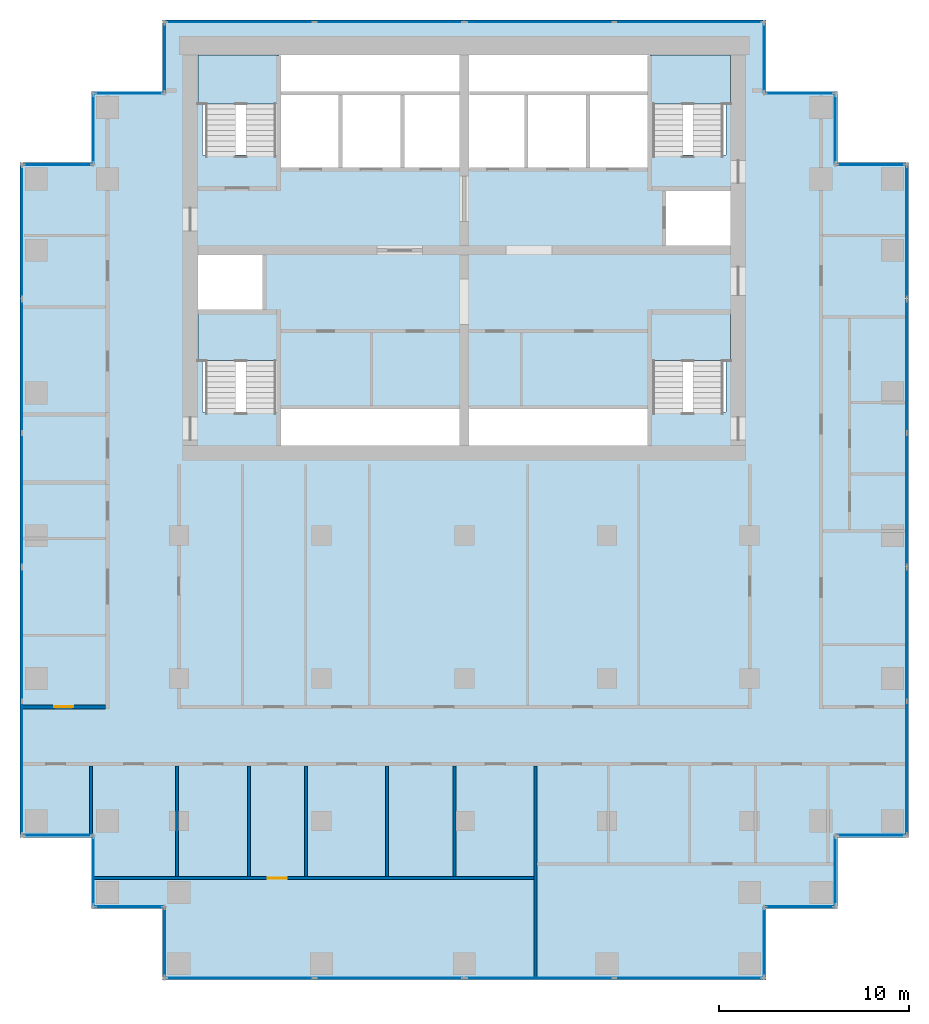
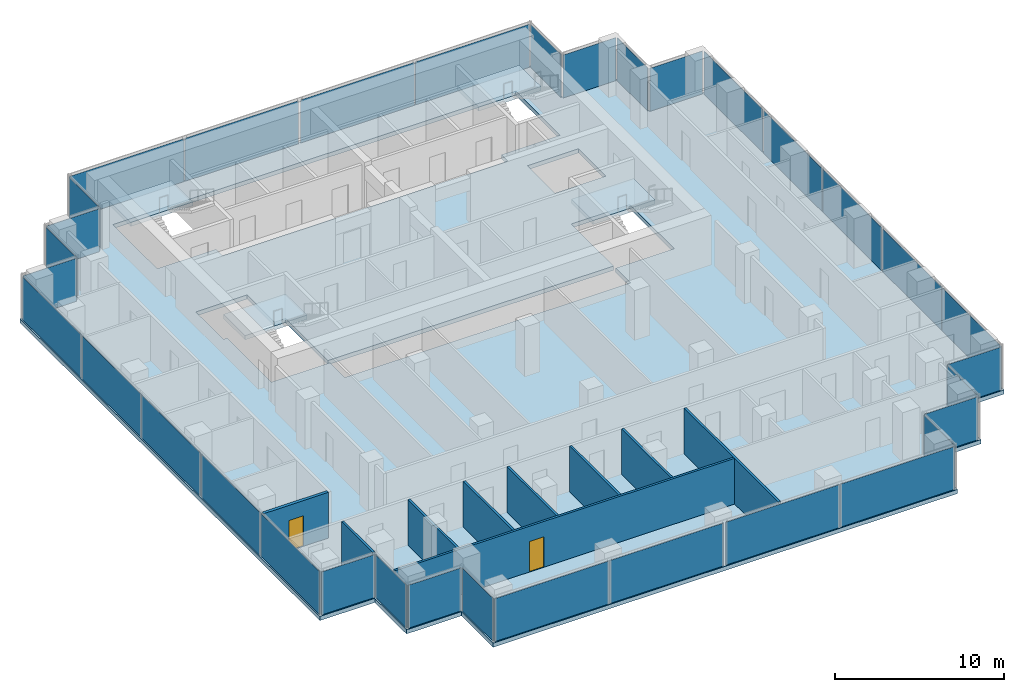
# One storey, part 6 of 11: 34 plates, 9 walls, 5 slabs, 2 doors, 2 openings, 30 elements without a shape of their own.
"""IFC4 building model written with IfcOpenShell, lengths in metres."""

from ifc_helpers import new_model, si_unit, direction, frame, frame_2d, origin, origin_2d, place, context, subcontext, project, spatial, polyline, rectangle, outline, extrude, material, layer, layer_set, type_object, element, fill, aggregate, save


model = new_model("IFC4")

# Units and contexts
model_context = context("Model", 3, precision=1e-05, world=origin(), true_north=direction((0.0, 1.0)))
body_context = subcontext(model_context, "Body", "Model", "MODEL_VIEW")
ifc_project = project(units=[si_unit("LENGTHUNIT", "METRE"), si_unit("AREAUNIT", "SQUARE_METRE"), si_unit("VOLUMEUNIT", "CUBIC_METRE"), si_unit("PLANEANGLEUNIT", "RADIAN"), si_unit("MASSUNIT", "GRAM", prefix="KILO")], contexts=[model_context])

# Site, building, storey
site_placement = place(None, origin())
site = spatial("IfcSite", under=ifc_project, at=site_placement, CompositionType="ELEMENT")
building_placement = place(site_placement, origin())
building = spatial("IfcBuilding", under=site, at=building_placement, Name="Pilkhan Gate Tower", CompositionType="ELEMENT")
storey_placement = place(building_placement, frame((0.0, 0.0, 172.89990234375)))
storey = spatial("IfcBuildingStorey", under=building, at=storey_placement, Name="L44", CompositionType="ELEMENT", Elevation=172.89990234375)

# Slab
ifc_material_1 = material(Name="Concrete C40/50", Category="concrete")
ifc_layer_1 = layer(ifc_material_1, 0.300048828125)
ifc_layer_set_1 = layer_set([ifc_layer_1], Name="Flat plate slab FP300")
slab_type_1 = type_object("IfcSlabType", Name="Flat plate slab FP300", PredefinedType="FLOOR", material=ifc_layer_set_1)
slab_1_placement = place(storey_placement, frame((0.0, 0.0, -0.2998046875)))
element("IfcSlab", 1, at=slab_1_placement, inside=storey, type_object=slab_type_1, Name="Floor slab L44", PredefinedType="FLOOR", context=body_context, shape_type="SweptSolid", body=[
    extrude(outline(polyline([(94.60009765625, 47.89990234375), (90.85009765625, 47.89990234375), (90.85009765625, 44.14990234375), (59.14990234375, 44.14990234375), (59.14990234375, 47.89990234375), (55.39990234375, 47.89990234375), (55.39990234375, 51.64990234375), (51.64990234375, 51.64990234375), (51.64990234375, 87.10009765625), (55.39990234375, 87.10009765625), (55.39990234375, 90.85009765625), (59.14990234375, 90.85009765625), (59.14990234375, 94.60009765625), (90.85009765625, 94.60009765625), (90.85009765625, 90.85009765625), (94.60009765625, 90.85009765625), (94.60009765625, 87.10009765625), (98.35009765625, 87.10009765625), (98.35009765625, 51.64990234375), (94.60009765625, 51.64990234375), (94.60009765625, 47.89990234375)]), holes=[polyline([(75.0, 72.25), (84.75, 72.25), (84.75, 74.0), (88.75, 74.0), (88.75, 79.25), (84.75, 79.25), (84.75, 74.25), (75.0, 74.25), (65.25, 74.25), (65.25, 79.25), (64.5, 79.25), (64.5, 82.5), (61.25, 82.5), (61.0, 82.5), (61.0, 79.25), (61.25, 79.25), (61.25, 74.0), (65.25, 74.0), (65.25, 72.25), (75.0, 72.25)]), polyline([(68.5, 86.75), (71.75, 86.75), (75.0, 86.75), (78.25, 86.75), (81.5, 86.75), (84.75, 86.75), (84.75, 87.5), (88.75, 87.5), (88.75, 92.75), (84.75, 92.75), (75.0, 92.75), (65.25, 92.75), (61.25, 92.75), (61.25, 87.5), (65.25, 87.5), (65.25, 86.75), (68.5, 86.75)]), polyline([(85.5, 85.75), (85.5, 82.5), (88.75, 82.5), (89.0, 82.5), (89.0, 85.75), (88.75, 85.75), (85.5, 85.75)])]), origin(), (0.0, 0.0, 1.0), 0.2998046875),
])

# Curtain wall, plates
ifc_material_2 = material(Name="Pale anodised aluminium, clear low-iron double glazing", Category="aluminium")
curtain_wall_type = type_object("IfcCurtainWallType", Name="Office unitised curtain wall CW-O1", PredefinedType="USERDEFINED", material=ifc_material_2)
curtain_wall_1_placement = place(storey_placement, origin())
curtain_wall_1 = element("IfcCurtainWall", 2, at=curtain_wall_1_placement, inside=storey, type_object=curtain_wall_type, Name="Office unitised curtain wall CW-O1 L44 E", ObjectType="UNITISED CURTAIN WALL", PredefinedType="USERDEFINED")
ifc_material_3 = material(Name="Clear low-iron double glazing", Category="glass")
ifc_layer_2 = layer(ifc_material_3, 0.0400390625)
ifc_layer_set_2 = layer_set([ifc_layer_2], Name="Glass panel CW-O1 40")
plate_type = type_object("IfcPlateType", Name="Glass panel CW-O1 40", PredefinedType="CURTAIN_PANEL", material=ifc_layer_set_2)
plate_1_placement = place(storey_placement, frame((98.25, 55.29248046875, 0.0), z_axis=(0.0, 0.0, 1.0), x_axis=(0.0, 1.0, 0.0)))
plate_1 = element("IfcPlate", 3, at=plate_1_placement, type_object=plate_type, Name="CW-O1 panel 1", PredefinedType="CURTAIN_PANEL", context=body_context, shape_type="SweptSolid", body=[
    extrude(rectangle(XDim=6.945068359375, YDim=0.0400390625, at=origin_2d()), origin(), (0.0, 0.0, 1.0), 3.10009765625),
])
plate_2_placement = place(storey_placement, frame((98.25, 62.3076171875, 0.0), z_axis=(0.0, 0.0, 1.0), x_axis=(0.0, 1.0, 0.0)))
plate_2 = element("IfcPlate", 4, at=plate_2_placement, type_object=plate_type, Name="CW-O1 panel 2", PredefinedType="CURTAIN_PANEL", context=body_context, shape_type="SweptSolid", body=[
    extrude(rectangle(XDim=6.945068359375, YDim=0.0400390625, at=origin_2d()), origin(), (0.0, 0.0, 1.0), 3.10009765625),
])
aggregate(curtain_wall_1, [plate_1, plate_2])

curtain_wall_2_placement = place(storey_placement, origin())
curtain_wall_2 = element("IfcCurtainWall", 5, at=curtain_wall_2_placement, inside=storey, type_object=curtain_wall_type, Name="Office unitised curtain wall CW-O1 L44 E", ObjectType="UNITISED CURTAIN WALL", PredefinedType="USERDEFINED")
plate_3_placement = place(storey_placement, frame((98.25, 69.392578125, 0.0), z_axis=(0.0, 0.0, 1.0), x_axis=(0.0, 1.0, 0.0)))
plate_3 = element("IfcPlate", 6, at=plate_3_placement, type_object=plate_type, Name="CW-O1 panel 1", PredefinedType="CURTAIN_PANEL", context=body_context, shape_type="SweptSolid", body=[
    extrude(rectangle(XDim=6.945068359375, YDim=0.0400390625, at=origin_2d()), origin(), (0.0, 0.0, 1.0), 3.10009765625),
])
plate_4_placement = place(storey_placement, frame((98.25, 76.407470703125, 0.0), z_axis=(0.0, 0.0, 1.0), x_axis=(0.0, 1.0, 0.0)))
plate_4 = element("IfcPlate", 7, at=plate_4_placement, type_object=plate_type, Name="CW-O1 panel 2", PredefinedType="CURTAIN_PANEL", context=body_context, shape_type="SweptSolid", body=[
    extrude(rectangle(XDim=6.945068359375, YDim=0.0400390625, at=origin_2d()), origin(), (0.0, 0.0, 1.0), 3.10009765625),
])
aggregate(curtain_wall_2, [plate_3, plate_4])

# Curtain wall, plate
curtain_wall_3_placement = place(storey_placement, origin())
curtain_wall_3 = element("IfcCurtainWall", 8, at=curtain_wall_3_placement, inside=storey, type_object=curtain_wall_type, Name="Office unitised curtain wall CW-O1 L44 E", ObjectType="UNITISED CURTAIN WALL", PredefinedType="USERDEFINED")
plate_5_placement = place(storey_placement, frame((98.25, 83.47509765625, 0.0), z_axis=(0.0, 0.0, 1.0), x_axis=(0.0, 1.0, 0.0)))
plate_5 = element("IfcPlate", 9, at=plate_5_placement, type_object=plate_type, Name="CW-O1 panel 1", PredefinedType="CURTAIN_PANEL", context=body_context, shape_type="SweptSolid", body=[
    extrude(rectangle(XDim=6.909912109375, YDim=0.0400390625, at=origin_2d()), origin(), (0.0, 0.0, 1.0), 3.10009765625),
])
aggregate(curtain_wall_3, [plate_5])

curtain_wall_4_placement = place(storey_placement, origin())
curtain_wall_4 = element("IfcCurtainWall", 10, at=curtain_wall_4_placement, inside=storey, type_object=curtain_wall_type, Name="Office unitised curtain wall CW-O1 L44 N", ObjectType="UNITISED CURTAIN WALL", PredefinedType="USERDEFINED")
plate_6_placement = place(storey_placement, frame((96.375, 87.0, 0.0), z_axis=(0.0, 0.0, 1.0), x_axis=(1.0, 0.0, 0.0)))
plate_6 = element("IfcPlate", 11, at=plate_6_placement, type_object=plate_type, Name="CW-O1 panel 1", PredefinedType="CURTAIN_PANEL", context=body_context, shape_type="SweptSolid", body=[
    extrude(rectangle(XDim=3.610107421875, YDim=0.0400390625, at=origin_2d()), origin(), (0.0, 0.0, 1.0), 3.10009765625),
])
aggregate(curtain_wall_4, [plate_6])

curtain_wall_5_placement = place(storey_placement, origin())
curtain_wall_5 = element("IfcCurtainWall", 12, at=curtain_wall_5_placement, inside=storey, type_object=curtain_wall_type, Name="Office unitised curtain wall CW-O1 L44 E", ObjectType="UNITISED CURTAIN WALL", PredefinedType="USERDEFINED")
plate_7_placement = place(storey_placement, frame((94.5, 88.875, 0.0), z_axis=(0.0, 0.0, 1.0), x_axis=(0.0, 1.0, 0.0)))
plate_7 = element("IfcPlate", 13, at=plate_7_placement, type_object=plate_type, Name="CW-O1 panel 1", PredefinedType="CURTAIN_PANEL", context=body_context, shape_type="SweptSolid", body=[
    extrude(rectangle(XDim=3.610107421875, YDim=0.0400390625, at=origin_2d()), origin(), (0.0, 0.0, 1.0), 3.10009765625),
])
aggregate(curtain_wall_5, [plate_7])

curtain_wall_6_placement = place(storey_placement, origin())
curtain_wall_6 = element("IfcCurtainWall", 14, at=curtain_wall_6_placement, inside=storey, type_object=curtain_wall_type, Name="Office unitised curtain wall CW-O1 L44 N", ObjectType="UNITISED CURTAIN WALL", PredefinedType="USERDEFINED")
plate_8_placement = place(storey_placement, frame((92.625, 90.75, 0.0), z_axis=(0.0, 0.0, 1.0), x_axis=(1.0, 0.0, 0.0)))
plate_8 = element("IfcPlate", 15, at=plate_8_placement, type_object=plate_type, Name="CW-O1 panel 1", PredefinedType="CURTAIN_PANEL", context=body_context, shape_type="SweptSolid", body=[
    extrude(rectangle(XDim=3.610107421875, YDim=0.0400390625, at=origin_2d()), origin(), (0.0, 0.0, 1.0), 3.10009765625),
])
aggregate(curtain_wall_6, [plate_8])

curtain_wall_7_placement = place(storey_placement, origin())
curtain_wall_7 = element("IfcCurtainWall", 16, at=curtain_wall_7_placement, inside=storey, type_object=curtain_wall_type, Name="Office unitised curtain wall CW-O1 L44 E", ObjectType="UNITISED CURTAIN WALL", PredefinedType="USERDEFINED")
plate_9_placement = place(storey_placement, frame((90.75, 92.625, 0.0), z_axis=(0.0, 0.0, 1.0), x_axis=(0.0, 1.0, 0.0)))
plate_9 = element("IfcPlate", 17, at=plate_9_placement, type_object=plate_type, Name="CW-O1 panel 1", PredefinedType="CURTAIN_PANEL", context=body_context, shape_type="SweptSolid", body=[
    extrude(rectangle(XDim=3.610107421875, YDim=0.0400390625, at=origin_2d()), origin(), (0.0, 0.0, 1.0), 3.10009765625),
])
aggregate(curtain_wall_7, [plate_9])

# Curtain wall, plates
curtain_wall_8_placement = place(storey_placement, origin())
curtain_wall_8 = element("IfcCurtainWall", 18, at=curtain_wall_8_placement, inside=storey, type_object=curtain_wall_type, Name="Office unitised curtain wall CW-O1 L44 N", ObjectType="UNITISED CURTAIN WALL", PredefinedType="USERDEFINED")
plate_10_placement = place(storey_placement, frame((63.205078125, 94.5, 0.0), z_axis=(0.0, 0.0, 1.0), x_axis=(1.0, 0.0, 0.0)))
plate_10 = element("IfcPlate", 19, at=plate_10_placement, type_object=plate_type, Name="CW-O1 panel 1", PredefinedType="CURTAIN_PANEL", context=body_context, shape_type="SweptSolid", body=[
    extrude(rectangle(XDim=7.77001953125, YDim=0.0400390625, at=origin_2d()), origin(), (0.0, 0.0, 1.0), 3.10009765625),
])
plate_11_placement = place(storey_placement, frame((71.044921875, 94.5, 0.0), z_axis=(0.0, 0.0, 1.0), x_axis=(1.0, 0.0, 0.0)))
plate_11 = element("IfcPlate", 20, at=plate_11_placement, type_object=plate_type, Name="CW-O1 panel 2", PredefinedType="CURTAIN_PANEL", context=body_context, shape_type="SweptSolid", body=[
    extrude(rectangle(XDim=7.77001953125, YDim=0.0400390625, at=origin_2d()), origin(), (0.0, 0.0, 1.0), 3.10009765625),
])
aggregate(curtain_wall_8, [plate_10, plate_11])

curtain_wall_9_placement = place(storey_placement, origin())
curtain_wall_9 = element("IfcCurtainWall", 21, at=curtain_wall_9_placement, inside=storey, type_object=curtain_wall_type, Name="Office unitised curtain wall CW-O1 L44 N", ObjectType="UNITISED CURTAIN WALL", PredefinedType="USERDEFINED")
plate_12_placement = place(storey_placement, frame((78.955078125, 94.5, 0.0), z_axis=(0.0, 0.0, 1.0), x_axis=(1.0, 0.0, 0.0)))
plate_12 = element("IfcPlate", 22, at=plate_12_placement, type_object=plate_type, Name="CW-O1 panel 1", PredefinedType="CURTAIN_PANEL", context=body_context, shape_type="SweptSolid", body=[
    extrude(rectangle(XDim=7.77001953125, YDim=0.0400390625, at=origin_2d()), origin(), (0.0, 0.0, 1.0), 3.10009765625),
])
plate_13_placement = place(storey_placement, frame((86.794921875, 94.5, 0.0), z_axis=(0.0, 0.0, 1.0), x_axis=(1.0, 0.0, 0.0)))
plate_13 = element("IfcPlate", 23, at=plate_13_placement, type_object=plate_type, Name="CW-O1 panel 2", PredefinedType="CURTAIN_PANEL", context=body_context, shape_type="SweptSolid", body=[
    extrude(rectangle(XDim=7.77001953125, YDim=0.0400390625, at=origin_2d()), origin(), (0.0, 0.0, 1.0), 3.10009765625),
])
aggregate(curtain_wall_9, [plate_12, plate_13])

# Curtain wall, plate
curtain_wall_10_placement = place(storey_placement, origin())
curtain_wall_10 = element("IfcCurtainWall", 24, at=curtain_wall_10_placement, inside=storey, type_object=curtain_wall_type, Name="Office unitised curtain wall CW-O1 L44 W", ObjectType="UNITISED CURTAIN WALL", PredefinedType="USERDEFINED")
plate_14_placement = place(storey_placement, frame((59.25, 92.625, 0.0), z_axis=(0.0, 0.0, 1.0), x_axis=(0.0, 1.0, 0.0)))
plate_14 = element("IfcPlate", 25, at=plate_14_placement, type_object=plate_type, Name="CW-O1 panel 1", PredefinedType="CURTAIN_PANEL", context=body_context, shape_type="SweptSolid", body=[
    extrude(rectangle(XDim=3.610107421875, YDim=0.0400390625, at=origin_2d()), origin(), (0.0, 0.0, 1.0), 3.10009765625),
])
aggregate(curtain_wall_10, [plate_14])

curtain_wall_11_placement = place(storey_placement, origin())
curtain_wall_11 = element("IfcCurtainWall", 26, at=curtain_wall_11_placement, inside=storey, type_object=curtain_wall_type, Name="Office unitised curtain wall CW-O1 L44 N", ObjectType="UNITISED CURTAIN WALL", PredefinedType="USERDEFINED")
plate_15_placement = place(storey_placement, frame((57.375, 90.75, 0.0), z_axis=(0.0, 0.0, 1.0), x_axis=(1.0, 0.0, 0.0)))
plate_15 = element("IfcPlate", 27, at=plate_15_placement, type_object=plate_type, Name="CW-O1 panel 1", PredefinedType="CURTAIN_PANEL", context=body_context, shape_type="SweptSolid", body=[
    extrude(rectangle(XDim=3.610107421875, YDim=0.0400390625, at=origin_2d()), origin(), (0.0, 0.0, 1.0), 3.10009765625),
])
aggregate(curtain_wall_11, [plate_15])

curtain_wall_12_placement = place(storey_placement, origin())
curtain_wall_12 = element("IfcCurtainWall", 28, at=curtain_wall_12_placement, inside=storey, type_object=curtain_wall_type, Name="Office unitised curtain wall CW-O1 L44 W", ObjectType="UNITISED CURTAIN WALL", PredefinedType="USERDEFINED")
plate_16_placement = place(storey_placement, frame((55.5, 88.875, 0.0), z_axis=(0.0, 0.0, 1.0), x_axis=(0.0, 1.0, 0.0)))
plate_16 = element("IfcPlate", 29, at=plate_16_placement, type_object=plate_type, Name="CW-O1 panel 1", PredefinedType="CURTAIN_PANEL", context=body_context, shape_type="SweptSolid", body=[
    extrude(rectangle(XDim=3.610107421875, YDim=0.0400390625, at=origin_2d()), origin(), (0.0, 0.0, 1.0), 3.10009765625),
])
aggregate(curtain_wall_12, [plate_16])

curtain_wall_13_placement = place(storey_placement, origin())
curtain_wall_13 = element("IfcCurtainWall", 30, at=curtain_wall_13_placement, inside=storey, type_object=curtain_wall_type, Name="Office unitised curtain wall CW-O1 L44 N", ObjectType="UNITISED CURTAIN WALL", PredefinedType="USERDEFINED")
plate_17_placement = place(storey_placement, frame((53.625, 87.0, 0.0), z_axis=(0.0, 0.0, 1.0), x_axis=(1.0, 0.0, 0.0)))
plate_17 = element("IfcPlate", 31, at=plate_17_placement, type_object=plate_type, Name="CW-O1 panel 1", PredefinedType="CURTAIN_PANEL", context=body_context, shape_type="SweptSolid", body=[
    extrude(rectangle(XDim=3.610107421875, YDim=0.0400390625, at=origin_2d()), origin(), (0.0, 0.0, 1.0), 3.10009765625),
])
aggregate(curtain_wall_13, [plate_17])

# Curtain wall, plates
curtain_wall_14_placement = place(storey_placement, origin())
curtain_wall_14 = element("IfcCurtainWall", 32, at=curtain_wall_14_placement, inside=storey, type_object=curtain_wall_type, Name="Office unitised curtain wall CW-O1 L44 W", ObjectType="UNITISED CURTAIN WALL", PredefinedType="USERDEFINED")
plate_18_placement = place(storey_placement, frame((51.75, 55.29248046875, 0.0), z_axis=(0.0, 0.0, 1.0), x_axis=(0.0, 1.0, 0.0)))
plate_18 = element("IfcPlate", 33, at=plate_18_placement, type_object=plate_type, Name="CW-O1 panel 1", PredefinedType="CURTAIN_PANEL", context=body_context, shape_type="SweptSolid", body=[
    extrude(rectangle(XDim=6.945068359375, YDim=0.0400390625, at=origin_2d()), origin(), (0.0, 0.0, 1.0), 3.10009765625),
])
plate_19_placement = place(storey_placement, frame((51.75, 62.3076171875, 0.0), z_axis=(0.0, 0.0, 1.0), x_axis=(0.0, 1.0, 0.0)))
plate_19 = element("IfcPlate", 34, at=plate_19_placement, type_object=plate_type, Name="CW-O1 panel 2", PredefinedType="CURTAIN_PANEL", context=body_context, shape_type="SweptSolid", body=[
    extrude(rectangle(XDim=6.945068359375, YDim=0.0400390625, at=origin_2d()), origin(), (0.0, 0.0, 1.0), 3.10009765625),
])
aggregate(curtain_wall_14, [plate_18, plate_19])

curtain_wall_15_placement = place(storey_placement, origin())
curtain_wall_15 = element("IfcCurtainWall", 35, at=curtain_wall_15_placement, inside=storey, type_object=curtain_wall_type, Name="Office unitised curtain wall CW-O1 L44 W", ObjectType="UNITISED CURTAIN WALL", PredefinedType="USERDEFINED")
plate_20_placement = place(storey_placement, frame((51.75, 69.392578125, 0.0), z_axis=(0.0, 0.0, 1.0), x_axis=(0.0, 1.0, 0.0)))
plate_20 = element("IfcPlate", 36, at=plate_20_placement, type_object=plate_type, Name="CW-O1 panel 1", PredefinedType="CURTAIN_PANEL", context=body_context, shape_type="SweptSolid", body=[
    extrude(rectangle(XDim=6.945068359375, YDim=0.0400390625, at=origin_2d()), origin(), (0.0, 0.0, 1.0), 3.10009765625),
])
plate_21_placement = place(storey_placement, frame((51.75, 76.407470703125, 0.0), z_axis=(0.0, 0.0, 1.0), x_axis=(0.0, 1.0, 0.0)))
plate_21 = element("IfcPlate", 37, at=plate_21_placement, type_object=plate_type, Name="CW-O1 panel 2", PredefinedType="CURTAIN_PANEL", context=body_context, shape_type="SweptSolid", body=[
    extrude(rectangle(XDim=6.945068359375, YDim=0.0400390625, at=origin_2d()), origin(), (0.0, 0.0, 1.0), 3.10009765625),
])
aggregate(curtain_wall_15, [plate_20, plate_21])

# Curtain wall, plate
curtain_wall_16_placement = place(storey_placement, origin())
curtain_wall_16 = element("IfcCurtainWall", 38, at=curtain_wall_16_placement, inside=storey, type_object=curtain_wall_type, Name="Office unitised curtain wall CW-O1 L44 W", ObjectType="UNITISED CURTAIN WALL", PredefinedType="USERDEFINED")
plate_22_placement = place(storey_placement, frame((51.75, 83.47509765625, 0.0), z_axis=(0.0, 0.0, 1.0), x_axis=(0.0, 1.0, 0.0)))
plate_22 = element("IfcPlate", 39, at=plate_22_placement, type_object=plate_type, Name="CW-O1 panel 1", PredefinedType="CURTAIN_PANEL", context=body_context, shape_type="SweptSolid", body=[
    extrude(rectangle(XDim=6.909912109375, YDim=0.0400390625, at=origin_2d()), origin(), (0.0, 0.0, 1.0), 3.10009765625),
])
aggregate(curtain_wall_16, [plate_22])

curtain_wall_17_placement = place(storey_placement, origin())
curtain_wall_17 = element("IfcCurtainWall", 40, at=curtain_wall_17_placement, inside=storey, type_object=curtain_wall_type, Name="Office unitised curtain wall CW-O1 L44 S", ObjectType="UNITISED CURTAIN WALL", PredefinedType="USERDEFINED")
plate_23_placement = place(storey_placement, frame((53.625, 51.75, 0.0), z_axis=(0.0, 0.0, 1.0), x_axis=(1.0, 0.0, 0.0)))
plate_23 = element("IfcPlate", 41, at=plate_23_placement, type_object=plate_type, Name="CW-O1 panel 1", PredefinedType="CURTAIN_PANEL", context=body_context, shape_type="SweptSolid", body=[
    extrude(rectangle(XDim=3.610107421875, YDim=0.0400390625, at=origin_2d()), origin(), (0.0, 0.0, 1.0), 3.10009765625),
])
aggregate(curtain_wall_17, [plate_23])

curtain_wall_18_placement = place(storey_placement, origin())
curtain_wall_18 = element("IfcCurtainWall", 42, at=curtain_wall_18_placement, inside=storey, type_object=curtain_wall_type, Name="Office unitised curtain wall CW-O1 L44 W", ObjectType="UNITISED CURTAIN WALL", PredefinedType="USERDEFINED")
plate_24_placement = place(storey_placement, frame((55.5, 49.875, 0.0), z_axis=(0.0, 0.0, 1.0), x_axis=(0.0, 1.0, 0.0)))
plate_24 = element("IfcPlate", 43, at=plate_24_placement, type_object=plate_type, Name="CW-O1 panel 1", PredefinedType="CURTAIN_PANEL", context=body_context, shape_type="SweptSolid", body=[
    extrude(rectangle(XDim=3.610107421875, YDim=0.0400390625, at=origin_2d()), origin(), (0.0, 0.0, 1.0), 3.10009765625),
])
aggregate(curtain_wall_18, [plate_24])

curtain_wall_19_placement = place(storey_placement, origin())
curtain_wall_19 = element("IfcCurtainWall", 44, at=curtain_wall_19_placement, inside=storey, type_object=curtain_wall_type, Name="Office unitised curtain wall CW-O1 L44 S", ObjectType="UNITISED CURTAIN WALL", PredefinedType="USERDEFINED")
plate_25_placement = place(storey_placement, frame((57.375, 48.0, 0.0), z_axis=(0.0, 0.0, 1.0), x_axis=(1.0, 0.0, 0.0)))
plate_25 = element("IfcPlate", 45, at=plate_25_placement, type_object=plate_type, Name="CW-O1 panel 1", PredefinedType="CURTAIN_PANEL", context=body_context, shape_type="SweptSolid", body=[
    extrude(rectangle(XDim=3.610107421875, YDim=0.0400390625, at=origin_2d()), origin(), (0.0, 0.0, 1.0), 3.10009765625),
])
aggregate(curtain_wall_19, [plate_25])

curtain_wall_20_placement = place(storey_placement, origin())
curtain_wall_20 = element("IfcCurtainWall", 46, at=curtain_wall_20_placement, inside=storey, type_object=curtain_wall_type, Name="Office unitised curtain wall CW-O1 L44 W", ObjectType="UNITISED CURTAIN WALL", PredefinedType="USERDEFINED")
plate_26_placement = place(storey_placement, frame((59.25, 46.125, 0.0), z_axis=(0.0, 0.0, 1.0), x_axis=(0.0, 1.0, 0.0)))
plate_26 = element("IfcPlate", 47, at=plate_26_placement, type_object=plate_type, Name="CW-O1 panel 1", PredefinedType="CURTAIN_PANEL", context=body_context, shape_type="SweptSolid", body=[
    extrude(rectangle(XDim=3.610107421875, YDim=0.0400390625, at=origin_2d()), origin(), (0.0, 0.0, 1.0), 3.10009765625),
])
aggregate(curtain_wall_20, [plate_26])

# Curtain wall, plates
curtain_wall_21_placement = place(storey_placement, origin())
curtain_wall_21 = element("IfcCurtainWall", 48, at=curtain_wall_21_placement, inside=storey, type_object=curtain_wall_type, Name="Office unitised curtain wall CW-O1 L44 S", ObjectType="UNITISED CURTAIN WALL", PredefinedType="USERDEFINED")
plate_27_placement = place(storey_placement, frame((63.205078125, 44.25, 0.0), z_axis=(0.0, 0.0, 1.0), x_axis=(1.0, 0.0, 0.0)))
plate_27 = element("IfcPlate", 49, at=plate_27_placement, type_object=plate_type, Name="CW-O1 panel 1", PredefinedType="CURTAIN_PANEL", context=body_context, shape_type="SweptSolid", body=[
    extrude(rectangle(XDim=7.77001953125, YDim=0.0400390625, at=origin_2d()), origin(), (0.0, 0.0, 1.0), 3.10009765625),
])
plate_28_placement = place(storey_placement, frame((71.044921875, 44.25, 0.0), z_axis=(0.0, 0.0, 1.0), x_axis=(1.0, 0.0, 0.0)))
plate_28 = element("IfcPlate", 50, at=plate_28_placement, type_object=plate_type, Name="CW-O1 panel 2", PredefinedType="CURTAIN_PANEL", context=body_context, shape_type="SweptSolid", body=[
    extrude(rectangle(XDim=7.77001953125, YDim=0.0400390625, at=origin_2d()), origin(), (0.0, 0.0, 1.0), 3.10009765625),
])
aggregate(curtain_wall_21, [plate_27, plate_28])

curtain_wall_22_placement = place(storey_placement, origin())
curtain_wall_22 = element("IfcCurtainWall", 51, at=curtain_wall_22_placement, inside=storey, type_object=curtain_wall_type, Name="Office unitised curtain wall CW-O1 L44 S", ObjectType="UNITISED CURTAIN WALL", PredefinedType="USERDEFINED")
plate_29_placement = place(storey_placement, frame((78.955078125, 44.25, 0.0), z_axis=(0.0, 0.0, 1.0), x_axis=(1.0, 0.0, 0.0)))
plate_29 = element("IfcPlate", 52, at=plate_29_placement, type_object=plate_type, Name="CW-O1 panel 1", PredefinedType="CURTAIN_PANEL", context=body_context, shape_type="SweptSolid", body=[
    extrude(rectangle(XDim=7.77001953125, YDim=0.0400390625, at=origin_2d()), origin(), (0.0, 0.0, 1.0), 3.10009765625),
])
plate_30_placement = place(storey_placement, frame((86.794921875, 44.25, 0.0), z_axis=(0.0, 0.0, 1.0), x_axis=(1.0, 0.0, 0.0)))
plate_30 = element("IfcPlate", 53, at=plate_30_placement, type_object=plate_type, Name="CW-O1 panel 2", PredefinedType="CURTAIN_PANEL", context=body_context, shape_type="SweptSolid", body=[
    extrude(rectangle(XDim=7.77001953125, YDim=0.0400390625, at=origin_2d()), origin(), (0.0, 0.0, 1.0), 3.10009765625),
])
aggregate(curtain_wall_22, [plate_29, plate_30])

# Curtain wall, plate
curtain_wall_23_placement = place(storey_placement, origin())
curtain_wall_23 = element("IfcCurtainWall", 54, at=curtain_wall_23_placement, inside=storey, type_object=curtain_wall_type, Name="Office unitised curtain wall CW-O1 L44 E", ObjectType="UNITISED CURTAIN WALL", PredefinedType="USERDEFINED")
plate_31_placement = place(storey_placement, frame((90.75, 46.125, 0.0), z_axis=(0.0, 0.0, 1.0), x_axis=(0.0, 1.0, 0.0)))
plate_31 = element("IfcPlate", 55, at=plate_31_placement, type_object=plate_type, Name="CW-O1 panel 1", PredefinedType="CURTAIN_PANEL", context=body_context, shape_type="SweptSolid", body=[
    extrude(rectangle(XDim=3.610107421875, YDim=0.0400390625, at=origin_2d()), origin(), (0.0, 0.0, 1.0), 3.10009765625),
])
aggregate(curtain_wall_23, [plate_31])

curtain_wall_24_placement = place(storey_placement, origin())
curtain_wall_24 = element("IfcCurtainWall", 56, at=curtain_wall_24_placement, inside=storey, type_object=curtain_wall_type, Name="Office unitised curtain wall CW-O1 L44 S", ObjectType="UNITISED CURTAIN WALL", PredefinedType="USERDEFINED")
plate_32_placement = place(storey_placement, frame((92.625, 48.0, 0.0), z_axis=(0.0, 0.0, 1.0), x_axis=(1.0, 0.0, 0.0)))
plate_32 = element("IfcPlate", 57, at=plate_32_placement, type_object=plate_type, Name="CW-O1 panel 1", PredefinedType="CURTAIN_PANEL", context=body_context, shape_type="SweptSolid", body=[
    extrude(rectangle(XDim=3.610107421875, YDim=0.0400390625, at=origin_2d()), origin(), (0.0, 0.0, 1.0), 3.10009765625),
])
aggregate(curtain_wall_24, [plate_32])

curtain_wall_25_placement = place(storey_placement, origin())
curtain_wall_25 = element("IfcCurtainWall", 58, at=curtain_wall_25_placement, inside=storey, type_object=curtain_wall_type, Name="Office unitised curtain wall CW-O1 L44 E", ObjectType="UNITISED CURTAIN WALL", PredefinedType="USERDEFINED")
plate_33_placement = place(storey_placement, frame((94.5, 49.875, 0.0), z_axis=(0.0, 0.0, 1.0), x_axis=(0.0, 1.0, 0.0)))
plate_33 = element("IfcPlate", 59, at=plate_33_placement, type_object=plate_type, Name="CW-O1 panel 1", PredefinedType="CURTAIN_PANEL", context=body_context, shape_type="SweptSolid", body=[
    extrude(rectangle(XDim=3.610107421875, YDim=0.0400390625, at=origin_2d()), origin(), (0.0, 0.0, 1.0), 3.10009765625),
])
aggregate(curtain_wall_25, [plate_33])

curtain_wall_26_placement = place(storey_placement, origin())
curtain_wall_26 = element("IfcCurtainWall", 60, at=curtain_wall_26_placement, inside=storey, type_object=curtain_wall_type, Name="Office unitised curtain wall CW-O1 L44 S", ObjectType="UNITISED CURTAIN WALL", PredefinedType="USERDEFINED")
plate_34_placement = place(storey_placement, frame((96.375, 51.75, 0.0), z_axis=(0.0, 0.0, 1.0), x_axis=(1.0, 0.0, 0.0)))
plate_34 = element("IfcPlate", 61, at=plate_34_placement, type_object=plate_type, Name="CW-O1 panel 1", PredefinedType="CURTAIN_PANEL", context=body_context, shape_type="SweptSolid", body=[
    extrude(rectangle(XDim=3.610107421875, YDim=0.0400390625, at=origin_2d()), origin(), (0.0, 0.0, 1.0), 3.10009765625),
])
aggregate(curtain_wall_26, [plate_34])

# Stair, slab
ifc_material_4 = material(Name="Concrete C40/50 precast", Category="concrete")
stair_type_1 = type_object("IfcStairType", Name="Stair ST1 164x280", PredefinedType="HALF_TURN_STAIR", material=ifc_material_4)
stair_1_placement = place(storey_placement, origin())
stair_1 = element("IfcStair", 62, at=stair_1_placement, inside=storey, type_object=stair_type_1, Name="Stair ST1 L44", PredefinedType="HALF_TURN_STAIR")
ifc_layer_3 = layer(ifc_material_1, 0.199951171875)
ifc_layer_set_3 = layer_set([ifc_layer_3], Name="Stair landing SL200")
slab_type_2 = type_object("IfcSlabType", Name="Stair landing SL200", PredefinedType="LANDING", material=ifc_layer_set_3)
slab_2_placement = place(storey_placement, frame((0.0, 0.0, 1.5)))
slab_2 = element("IfcSlab", 63, at=slab_2_placement, type_object=slab_type_2, Name="ST1 landing 1", PredefinedType="LANDING", context=body_context, shape_type="SweptSolid", body=[
    extrude(outline(polyline([(89.0, 76.699951171875), (89.0, 79.25), (84.75, 79.25), (84.75, 76.699951171875), (89.0, 76.699951171875)])), origin(), (0.0, 0.0, 1.0), 0.300048828125),
])
aggregate(stair_1, [slab_2])

stair_type_2 = type_object("IfcStairType", Name="Stair ST2 164x280", PredefinedType="HALF_TURN_STAIR", material=ifc_material_4)
stair_2_placement = place(storey_placement, origin())
stair_2 = element("IfcStair", 64, at=stair_2_placement, inside=storey, type_object=stair_type_2, Name="Stair ST2 L44", PredefinedType="HALF_TURN_STAIR")
slab_3_placement = place(storey_placement, frame((0.0, 0.0, 1.5)))
slab_3 = element("IfcSlab", 65, at=slab_3_placement, type_object=slab_type_2, Name="ST2 landing 1", PredefinedType="LANDING", context=body_context, shape_type="SweptSolid", body=[
    extrude(outline(polyline([(65.25, 76.699951171875), (65.25, 79.25), (61.0, 79.25), (61.0, 76.699951171875), (65.25, 76.699951171875)])), origin(), (0.0, 0.0, 1.0), 0.300048828125),
])
aggregate(stair_2, [slab_3])

stair_type_3 = type_object("IfcStairType", Name="Stair ST3 164x280", PredefinedType="HALF_TURN_STAIR", material=ifc_material_4)
stair_3_placement = place(storey_placement, origin())
stair_3 = element("IfcStair", 66, at=stair_3_placement, inside=storey, type_object=stair_type_3, Name="Stair ST3 L44", PredefinedType="HALF_TURN_STAIR")
slab_4_placement = place(storey_placement, frame((0.0, 0.0, 1.5)))
slab_4 = element("IfcSlab", 67, at=slab_4_placement, type_object=slab_type_2, Name="ST3 landing 1", PredefinedType="LANDING", context=body_context, shape_type="SweptSolid", body=[
    extrude(outline(polyline([(65.25, 90.199951171875), (65.25, 92.75), (61.0, 92.75), (61.0, 90.199951171875), (65.25, 90.199951171875)])), origin(), (0.0, 0.0, 1.0), 0.300048828125),
])
aggregate(stair_3, [slab_4])

stair_type_4 = type_object("IfcStairType", Name="Stair ST4 164x280", PredefinedType="HALF_TURN_STAIR", material=ifc_material_4)
stair_4_placement = place(storey_placement, origin())
stair_4 = element("IfcStair", 68, at=stair_4_placement, inside=storey, type_object=stair_type_4, Name="Stair ST4 L44", PredefinedType="HALF_TURN_STAIR")
slab_5_placement = place(storey_placement, frame((0.0, 0.0, 1.5)))
slab_5 = element("IfcSlab", 69, at=slab_5_placement, type_object=slab_type_2, Name="ST4 landing 1", PredefinedType="LANDING", context=body_context, shape_type="SweptSolid", body=[
    extrude(outline(polyline([(89.0, 90.199951171875), (89.0, 92.75), (84.75, 92.75), (84.75, 90.199951171875), (89.0, 90.199951171875)])), origin(), (0.0, 0.0, 1.0), 0.300048828125),
])
aggregate(stair_4, [slab_5])

# Wall, opening, door
ifc_material_5 = material(Name="Dense blockwork", Category="masonry")
ifc_layer_4 = layer(ifc_material_5, 0.199951171875)
ifc_layer_set_4 = layer_set([ifc_layer_4], Name="Corridor wall FW200")
wall_type_1 = type_object("IfcWallType", Name="Corridor wall FW200", PredefinedType="PARTITIONING", material=ifc_layer_set_4)
wall_1_placement = place(storey_placement, frame((51.735107421875, 58.5, 0.0), z_axis=(0.0, 0.0, 1.0), x_axis=(1.0, 0.0, 0.0)))
wall_1 = element("IfcWall", 70, at=wall_1_placement, inside=storey, type_object=wall_type_1, Name="Partition L44", PredefinedType="PARTITIONING", context=body_context, shape_type="SweptSolid", body=[
    extrude(rectangle(XDim=4.414794921875, YDim=0.199951171875, at=frame_2d((2.20751953125, 0.0))), origin(), (0.0, 0.0, 1.0), 3.300048828125),
])
opening_1_placement = place(wall_1_placement, frame((1.699951171875, 0.0, 0.0)))
opening_1 = element("IfcOpeningElement", 71, at=opening_1_placement, cuts=wall_1, Name="Opening L44-28", PredefinedType="OPENING", context=body_context, shape_type="SweptSolid", body=[
    extrude(rectangle(XDim=1.0, YDim=2.199951171875, at=frame_2d((0.5, 1.10009765625))), frame((0.0, 0.10986328125, 0.0), z_axis=(0.0, -1.0, 0.0), x_axis=(1.0, 0.0, 0.0)), (0.0, 0.0, 1.0), 0.219970703125),
])
ifc_material_6 = material(Name="Timber flush door, 30 minute fire resisting", Category="wood")
door_type = type_object("IfcDoorType", Name="Room door D03 1000x2200", OperationType="SINGLE_SWING_LEFT", PredefinedType="DOOR", material=ifc_material_6)
door_1_placement = place(opening_1_placement, origin())
door_1 = element("IfcDoor", 72, at=door_1_placement, inside=storey, type_object=door_type, Name="Room door", OperationType="SINGLE_SWING_LEFT", OverallHeight=2.199951171875, OverallWidth=1.0, PredefinedType="DOOR", context=body_context, shape_type="SweptSolid", body=[
    extrude(rectangle(XDim=1.0, YDim=2.199951171875, at=frame_2d((0.5, 1.10009765625))), frame((0.0, 0.02490234375, 0.0), z_axis=(0.0, -1.0, 0.0), x_axis=(1.0, 0.0, 0.0)), (0.0, 0.0, 1.0), 0.050048828125),
])
fill(opening_1, door_1)

ifc_material_7 = material(Name="Blockwork partition, plastered both sides", Category="masonry")
ifc_layer_5 = layer(ifc_material_7, 0.14990234375)
ifc_layer_set_5 = layer_set([ifc_layer_5], Name="Partition PW150")
wall_type_2 = type_object("IfcWallType", Name="Partition PW150", PredefinedType="PARTITIONING", material=ifc_layer_set_5)
wall_2_placement = place(storey_placement, frame((55.485107421875, 49.5, 0.0), z_axis=(0.0, 0.0, 1.0), x_axis=(1.0, 0.0, 0.0)))
wall_2 = element("IfcWall", 73, at=wall_2_placement, inside=storey, type_object=wall_type_2, Name="Partition L44", PredefinedType="PARTITIONING", context=body_context, shape_type="SweptSolid", body=[
    extrude(rectangle(XDim=23.18994140625, YDim=0.14990234375, at=frame_2d((11.594970703125, 0.0))), origin(), (0.0, 0.0, 1.0), 3.300048828125),
])
opening_2_placement = place(wall_2_placement, frame((9.18994140625, 0.0, 0.0)))
opening_2 = element("IfcOpeningElement", 74, at=opening_2_placement, cuts=wall_2, Name="Opening L44-22", PredefinedType="OPENING", context=body_context, shape_type="SweptSolid", body=[
    extrude(rectangle(XDim=1.0, YDim=2.199951171875, at=frame_2d((0.5, 1.10009765625))), frame((0.0, 0.0849609375, 0.0), z_axis=(0.0, -1.0, 0.0), x_axis=(1.0, 0.0, 0.0)), (0.0, 0.0, 1.0), 0.169921875),
])
door_2_placement = place(opening_2_placement, origin())
door_2 = element("IfcDoor", 75, at=door_2_placement, inside=storey, type_object=door_type, Name="Room door", OperationType="SINGLE_SWING_LEFT", OverallHeight=2.199951171875, OverallWidth=1.0, PredefinedType="DOOR", context=body_context, shape_type="SweptSolid", body=[
    extrude(rectangle(XDim=1.0, YDim=2.199951171875, at=frame_2d((0.5, 1.10009765625))), frame((0.0, 0.02490234375, 0.0), z_axis=(0.0, -1.0, 0.0), x_axis=(1.0, 0.0, 0.0)), (0.0, 0.0, 1.0), 0.050048828125),
])
fill(opening_2, door_2)

# Walls
wall_3_placement = place(storey_placement, frame((55.373046875, 51.735107421875, 0.0), z_axis=(0.0, 0.0, 1.0), x_axis=(0.0, 1.0, 0.0)))
element("IfcWall", 76, at=wall_3_placement, inside=storey, type_object=wall_type_2, Name="Partition L44", PredefinedType="PARTITIONING", context=body_context, shape_type="SweptSolid", body=[
    extrude(rectangle(XDim=3.664794921875, YDim=0.14990234375, at=frame_2d((1.83251953125, 0.0))), origin(), (0.0, 0.0, 1.0), 3.300048828125),
])
for number, where, z_axis, x_axis, name in (
    (77, (59.902099609375, 49.574951171875, 0.0), (0.0, 0.0, 1.0), (0.0, 1.0, 0.0), "Partition L44"),
    (78, (63.675048828125, 49.574951171875, 0.0), (0.0, 0.0, 1.0), (0.0, 1.0, 0.0), "Partition L44"),
    (79, (66.675048828125, 49.574951171875, 0.0), (0.0, 0.0, 1.0), (0.0, 1.0, 0.0), "Partition L44"),
    (80, (70.93701171875, 49.574951171875, 0.0), (0.0, 0.0, 1.0), (0.0, 1.0, 0.0), "Partition L44"),
    (81, (74.488037109375, 49.574951171875, 0.0), (0.0, 0.0, 1.0), (0.0, 1.0, 0.0), "Partition L44"),
):
    element("IfcWall", number, at=place(storey_placement, frame(where, z_axis=z_axis, x_axis=x_axis)), inside=storey, type_object=wall_type_2, Name=name, PredefinedType="PARTITIONING", context=body_context, shape_type="SweptSolid", body=[
        extrude(rectangle(XDim=5.824951171875, YDim=0.14990234375, at=frame_2d((2.91259765625, 0.0))), origin(), (0.0, 0.0, 1.0), 3.300048828125),
    ])
wall_4_placement = place(storey_placement, frame((78.75, 44.235107421875, 0.0), z_axis=(0.0, 0.0, 1.0), x_axis=(0.0, 1.0, 0.0)))
element("IfcWall", 82, at=wall_4_placement, inside=storey, type_object=wall_type_2, Name="Partition L44", PredefinedType="PARTITIONING", context=body_context, shape_type="SweptSolid", body=[
    extrude(rectangle(XDim=11.164794921875, YDim=0.14990234375, at=frame_2d((5.58251953125, 0.0))), origin(), (0.0, 0.0, 1.0), 3.300048828125),
])

save(model, "model.ifc")
